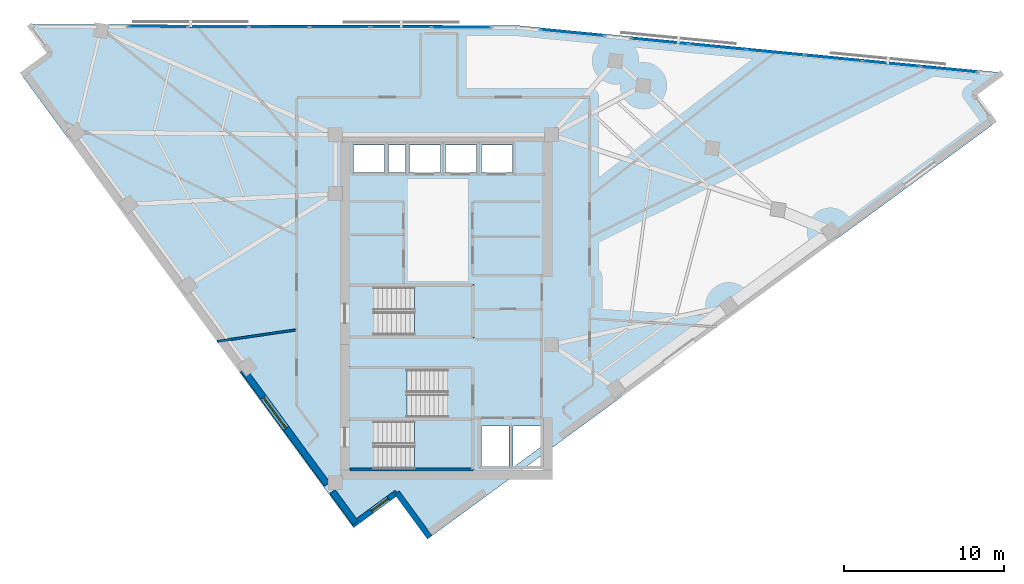
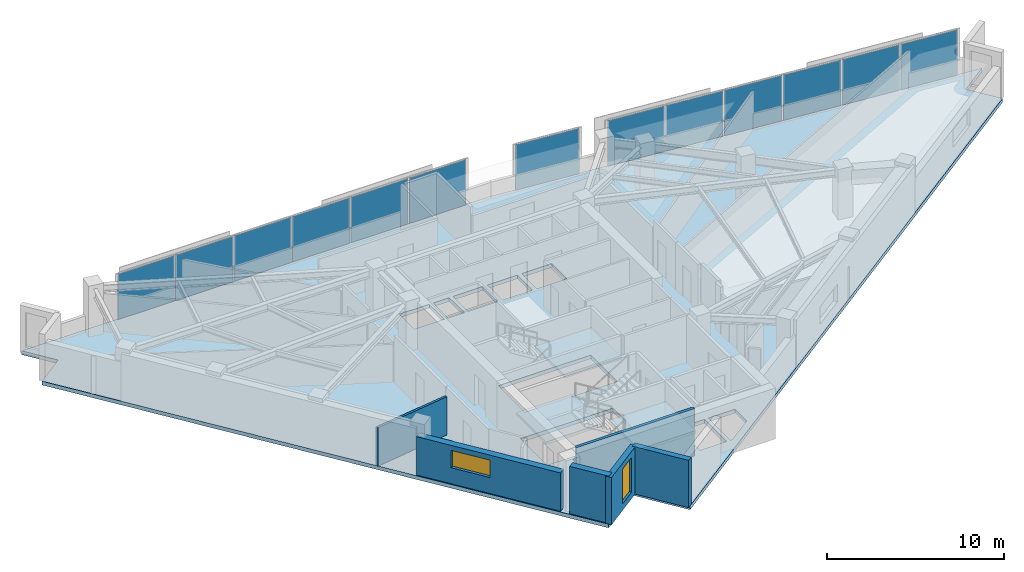
# One storey, part 7 of 13: 13 plates, 6 walls, 4 slabs, 2 windows, 2 openings, 6 elements without a shape of their own.
"""IFC4 building model written with IfcOpenShell, lengths in metres."""

from ifc_helpers import new_model, si_unit, direction, frame, frame_2d, origin, origin_2d, place, context, subcontext, project, spatial, polyline, rectangle, outline, extrude, material, layer, layer_set, type_object, element, fill, aggregate, save


model = new_model("IFC4")

# Units and contexts
model_context = context("Model", 3, precision=1e-05, world=origin(), true_north=direction((0.0, 1.0)))
body_context = subcontext(model_context, "Body", "Model", "MODEL_VIEW")
ifc_project = project(units=[si_unit("LENGTHUNIT", "METRE"), si_unit("AREAUNIT", "SQUARE_METRE"), si_unit("VOLUMEUNIT", "CUBIC_METRE"), si_unit("PLANEANGLEUNIT", "RADIAN"), si_unit("MASSUNIT", "GRAM", prefix="KILO")], contexts=[model_context])

# Site, building, storey
site_placement = place(None, origin())
site = spatial("IfcSite", under=ifc_project, at=site_placement, CompositionType="ELEMENT")
building_placement = place(site_placement, origin())
building = spatial("IfcBuilding", under=site, at=building_placement, Name="Narakoshi Arena Tower", CompositionType="ELEMENT")
storey_placement = place(building_placement, frame((0.0, 0.0, 243.139892578125)))
storey = spatial("IfcBuildingStorey", under=building, at=storey_placement, Name="L66", CompositionType="ELEMENT", Elevation=243.139892578125)

# Curtain wall, plates
ifc_material_1 = material(Name="Anodised bronze aluminium 6063-T6", Category="aluminium")
curtain_wall_type = type_object("IfcCurtainWallType", Name="CW-HYP-HIGH", PredefinedType="NOTDEFINED", material=ifc_material_1)
curtain_wall_1_placement = place(storey_placement, origin())
curtain_wall_1 = element("IfcCurtainWall", 1, at=curtain_wall_1_placement, inside=storey, type_object=curtain_wall_type, Name="L66 Folded Hypotenuse Curtain Wall 1-1", PredefinedType="NOTDEFINED")
ifc_material_2 = material(Name="Bronze-tinted low-E laminated glass", Category="glass")
ifc_layer_1 = layer(ifc_material_2, 0.0439453125)
ifc_layer_set_1 = layer_set([ifc_layer_1], Name="Bronze-tinted low-E laminated glass")
plate_type = type_object("IfcPlateType", Name="PLT-GLZ-44", PredefinedType="CURTAIN_PANEL", material=ifc_layer_set_1)
plate_1_placement = place(storey_placement, frame((110.45458984375, 60.593505859375, 0.065185546875), z_axis=(0.0, 0.0, 1.0), x_axis=(-0.995298860454, 0.096851320996, 0.0)))
plate_1 = element("IfcPlate", 2, at=plate_1_placement, type_object=plate_type, Name="CW-03 panel 1.1", PredefinedType="CURTAIN_PANEL", context=body_context, shape_type="SweptSolid", body=[
    extrude(rectangle(XDim=3.52880859375, YDim=0.0439453125, at=origin_2d()), origin(), (0.0, 0.0, 1.0), 3.1298828125),
])
plate_2_placement = place(storey_placement, frame((106.8427734375, 60.945068359375, 0.065185546875), z_axis=(0.0, 0.0, 1.0), x_axis=(-0.995298860454, 0.096851320996, 0.0)))
plate_2 = element("IfcPlate", 3, at=plate_2_placement, type_object=plate_type, Name="CW-03 panel 2.1", PredefinedType="CURTAIN_PANEL", context=body_context, shape_type="SweptSolid", body=[
    extrude(rectangle(XDim=3.568603515625, YDim=0.0439453125, at=origin_2d()), origin(), (0.0, 0.0, 1.0), 3.1298828125),
])
plate_3_placement = place(storey_placement, frame((103.211181640625, 61.29833984375, 0.065185546875), z_axis=(0.0, 0.0, 1.0), x_axis=(-0.995298860454, 0.096851320996, 0.0)))
plate_3 = element("IfcPlate", 4, at=plate_3_placement, type_object=plate_type, Name="CW-03 panel 3.1", PredefinedType="CURTAIN_PANEL", context=body_context, shape_type="SweptSolid", body=[
    extrude(rectangle(XDim=3.568603515625, YDim=0.0439453125, at=origin_2d()), origin(), (0.0, 0.0, 1.0), 3.1298828125),
])
plate_4_placement = place(storey_placement, frame((99.579833984375, 61.65185546875, 0.065185546875), z_axis=(0.0, 0.0, 1.0), x_axis=(-0.995298860454, 0.096851320996, 0.0)))
plate_4 = element("IfcPlate", 5, at=plate_4_placement, type_object=plate_type, Name="CW-03 panel 4.1", PredefinedType="CURTAIN_PANEL", context=body_context, shape_type="SweptSolid", body=[
    extrude(rectangle(XDim=3.568603515625, YDim=0.0439453125, at=origin_2d()), origin(), (0.0, 0.0, 1.0), 3.1298828125),
])
plate_5_placement = place(storey_placement, frame((95.9482421875, 62.005126953125, 0.065185546875), z_axis=(0.0, 0.0, 1.0), x_axis=(-0.995298860454, 0.096851320996, 0.0)))
plate_5 = element("IfcPlate", 6, at=plate_5_placement, type_object=plate_type, Name="CW-03 panel 5.1", PredefinedType="CURTAIN_PANEL", context=body_context, shape_type="SweptSolid", body=[
    extrude(rectangle(XDim=3.568603515625, YDim=0.0439453125, at=origin_2d()), origin(), (0.0, 0.0, 1.0), 3.1298828125),
])
plate_6_placement = place(storey_placement, frame((92.33642578125, 62.356689453125, 0.065185546875), z_axis=(0.0, 0.0, 1.0), x_axis=(-0.995298860454, 0.096851320996, 0.0)))
plate_6 = element("IfcPlate", 7, at=plate_6_placement, type_object=plate_type, Name="CW-03 panel 6.1", PredefinedType="CURTAIN_PANEL", context=body_context, shape_type="SweptSolid", body=[
    extrude(rectangle(XDim=3.52880859375, YDim=0.0439453125, at=origin_2d()), origin(), (0.0, 0.0, 1.0), 3.1298828125),
])
aggregate(curtain_wall_1, [plate_1, plate_2, plate_3, plate_4, plate_5, plate_6])

# Curtain wall, plate
curtain_wall_2_placement = place(storey_placement, origin())
curtain_wall_2 = element("IfcCurtainWall", 8, at=curtain_wall_2_placement, inside=storey, type_object=curtain_wall_type, Name="L66 Folded Hypotenuse Curtain Wall 1-2", PredefinedType="NOTDEFINED")
plate_7_placement = place(storey_placement, frame((86.862060546875, 62.889404296875, 0.065185546875), z_axis=(0.0, 0.0, 1.0), x_axis=(-0.995299683896, 0.096842858471, 0.0)))
plate_7 = element("IfcPlate", 9, at=plate_7_placement, type_object=plate_type, Name="CW-03 panel 1.1", PredefinedType="CURTAIN_PANEL", context=body_context, shape_type="SweptSolid", body=[
    extrude(rectangle(XDim=3.9560546875, YDim=0.0439453125, at=origin_2d()), origin(), (0.0, 0.0, 1.0), 3.1298828125),
])
aggregate(curtain_wall_2, [plate_7])

# Curtain wall, plates
curtain_wall_3_placement = place(storey_placement, origin())
curtain_wall_3 = element("IfcCurtainWall", 10, at=curtain_wall_3_placement, inside=storey, type_object=curtain_wall_type, Name="L66 Folded Hypotenuse Curtain Wall 2-1", PredefinedType="NOTDEFINED")
plate_8_placement = place(storey_placement, frame((79.907470703125, 63.239501953125, 0.065185546875), z_axis=(0.0, 0.0, 1.0), x_axis=(-0.999998343986, 0.001819896899, 0.0)))
plate_8 = element("IfcPlate", 11, at=plate_8_placement, type_object=plate_type, Name="CW-03 panel 1.1", PredefinedType="CURTAIN_PANEL", context=body_context, shape_type="SweptSolid", body=[
    extrude(rectangle(XDim=3.689697265625, YDim=0.0439453125, at=origin_2d()), origin(), (0.0, 0.0, 1.0), 3.1298828125),
])
plate_9_placement = place(storey_placement, frame((76.11767578125, 63.246337890625, 0.065185546875), z_axis=(0.0, 0.0, 1.0), x_axis=(-0.999998343986, 0.001819896899, 0.0)))
plate_9 = element("IfcPlate", 12, at=plate_9_placement, type_object=plate_type, Name="CW-03 panel 2.1", PredefinedType="CURTAIN_PANEL", context=body_context, shape_type="SweptSolid", body=[
    extrude(rectangle(XDim=3.729736328125, YDim=0.0439453125, at=origin_2d()), origin(), (0.0, 0.0, 1.0), 3.1298828125),
])
plate_10_placement = place(storey_placement, frame((72.307861328125, 63.25341796875, 0.065185546875), z_axis=(0.0, 0.0, 1.0), x_axis=(-0.999998343986, 0.001819896899, 0.0)))
plate_10 = element("IfcPlate", 13, at=plate_10_placement, type_object=plate_type, Name="CW-03 panel 3.1", PredefinedType="CURTAIN_PANEL", context=body_context, shape_type="SweptSolid", body=[
    extrude(rectangle(XDim=3.729736328125, YDim=0.0439453125, at=origin_2d()), origin(), (0.0, 0.0, 1.0), 3.1298828125),
])
plate_11_placement = place(storey_placement, frame((68.498291015625, 63.26025390625, 0.065185546875), z_axis=(0.0, 0.0, 1.0), x_axis=(-0.999998343986, 0.001819896899, 0.0)))
plate_11 = element("IfcPlate", 14, at=plate_11_placement, type_object=plate_type, Name="CW-03 panel 4.1", PredefinedType="CURTAIN_PANEL", context=body_context, shape_type="SweptSolid", body=[
    extrude(rectangle(XDim=3.729736328125, YDim=0.0439453125, at=origin_2d()), origin(), (0.0, 0.0, 1.0), 3.1298828125),
])
plate_12_placement = place(storey_placement, frame((64.6884765625, 63.26708984375, 0.065185546875), z_axis=(0.0, 0.0, 1.0), x_axis=(-0.999998343986, 0.001819896899, 0.0)))
plate_12 = element("IfcPlate", 15, at=plate_12_placement, type_object=plate_type, Name="CW-03 panel 5.1", PredefinedType="CURTAIN_PANEL", context=body_context, shape_type="SweptSolid", body=[
    extrude(rectangle(XDim=3.729736328125, YDim=0.0439453125, at=origin_2d()), origin(), (0.0, 0.0, 1.0), 3.1298828125),
])
plate_13_placement = place(storey_placement, frame((60.898681640625, 63.274169921875, 0.065185546875), z_axis=(0.0, 0.0, 1.0), x_axis=(-0.999998343986, 0.001819896899, 0.0)))
plate_13 = element("IfcPlate", 16, at=plate_13_placement, type_object=plate_type, Name="CW-03 panel 6.1", PredefinedType="CURTAIN_PANEL", context=body_context, shape_type="SweptSolid", body=[
    extrude(rectangle(XDim=3.689697265625, YDim=0.0439453125, at=origin_2d()), origin(), (0.0, 0.0, 1.0), 3.1298828125),
])
aggregate(curtain_wall_3, [plate_8, plate_9, plate_10, plate_11, plate_12, plate_13])

# Stair, slab
ifc_material_3 = material(Name="Concrete C45/55", Category="concrete")
stair_type = type_object("IfcStairType", Name="STR-CORE-352", PredefinedType="TWO_STRAIGHT_RUN_STAIR", material=ifc_material_3)
stair_1_placement = place(storey_placement, origin())
stair_1 = element("IfcStair", 17, at=stair_1_placement, inside=storey, type_object=stair_type, Name="L66 Core Escape Stair ST1", PredefinedType="TWO_STRAIGHT_RUN_STAIR")
ifc_layer_2 = layer(ifc_material_3, 0.18994140625)
ifc_layer_set_2 = layer_set([ifc_layer_2], Name="Concrete C45/55")
slab_type_1 = type_object("IfcSlabType", Name="SLB-LND-190", PredefinedType="LANDING", material=ifc_layer_set_2)
slab_1_placement = place(storey_placement, frame((0.0, 0.0, 1.570068359375)))
slab_1 = element("IfcSlab", 18, at=slab_1_placement, type_object=slab_type_1, Name="ST1 landing 1", PredefinedType="LANDING", context=body_context, shape_type="SweptSolid", body=[
    extrude(outline(polyline([(76.965087890625, 35.3701171875), (80.679931640625, 35.3701171875), (80.679931640625, 38.72998046875), (76.965087890625, 38.72998046875), (76.965087890625, 35.3701171875)])), origin(), (0.0, 0.0, 1.0), 0.18994140625),
])
aggregate(stair_1, [slab_1])

stair_2_placement = place(storey_placement, origin())
stair_2 = element("IfcStair", 19, at=stair_2_placement, inside=storey, type_object=stair_type, Name="L66 Core Escape Stair ST2", PredefinedType="TWO_STRAIGHT_RUN_STAIR")
slab_2_placement = place(storey_placement, frame((0.0, 0.0, 1.570068359375)))
slab_2 = element("IfcSlab", 20, at=slab_2_placement, type_object=slab_type_1, Name="ST2 landing 1", PredefinedType="LANDING", context=body_context, shape_type="SweptSolid", body=[
    extrude(outline(polyline([(72.77001953125, 38.6201171875), (76.485107421875, 38.6201171875), (76.485107421875, 41.97998046875), (72.77001953125, 41.97998046875), (72.77001953125, 38.6201171875)])), origin(), (0.0, 0.0, 1.0), 0.18994140625),
])
aggregate(stair_2, [slab_2])

stair_3_placement = place(storey_placement, origin())
stair_3 = element("IfcStair", 21, at=stair_3_placement, inside=storey, type_object=stair_type, Name="L66 Core Escape Stair ST3", PredefinedType="TWO_STRAIGHT_RUN_STAIR")
slab_3_placement = place(storey_placement, frame((0.0, 0.0, 1.570068359375)))
slab_3 = element("IfcSlab", 22, at=slab_3_placement, type_object=slab_type_1, Name="ST3 landing 1", PredefinedType="LANDING", context=body_context, shape_type="SweptSolid", body=[
    extrude(outline(polyline([(76.965087890625, 43.77001953125), (80.679931640625, 43.77001953125), (80.679931640625, 47.1298828125), (76.965087890625, 47.1298828125), (76.965087890625, 43.77001953125)])), origin(), (0.0, 0.0, 1.0), 0.18994140625),
])
aggregate(stair_3, [slab_3])

# Slab
ifc_material_4 = material(Name="Concrete C50/60", Category="concrete")
ifc_layer_3 = layer(ifc_material_4, 0.260009765625)
ifc_layer_set_3 = layer_set([ifc_layer_3], Name="Concrete C50/60")
slab_type_2 = type_object("IfcSlabType", Name="SLB-SKY-260", PredefinedType="FLOOR", material=ifc_layer_set_3)
slab_4_placement = place(storey_placement, frame((0.0, 0.0, -0.260009765625)))
element("IfcSlab", 23, at=slab_4_placement, inside=storey, type_object=slab_type_2, Name="L66 Structural Floor Slab", PredefinedType="FLOOR", context=body_context, shape_type="SweptSolid", body=[
    extrude(outline(polyline([(77.922607421875, 31.273193359375), (113.306640625, 57.218017578125), (111.96533203125, 59.047607421875), (113.794921875, 60.38916015625), (83.33251953125, 63.353271484375), (52.84521484375, 63.40869140625), (54.1865234375, 61.5791015625), (52.357177734375, 60.23779296875), (73.044189453125, 32.024169921875), (75.858642578125, 34.087890625), (77.922607421875, 31.273193359375)]), holes=[polyline([(80.5, 35.550048828125), (74.47998046875, 35.550048828125), (74.47998046875, 38.550048828125), (80.5, 38.550048828125), (80.5, 35.550048828125)]), polyline([(82.89990234375, 35.75), (81.14990234375, 35.75), (81.14990234375, 38.25), (82.89990234375, 38.25), (82.89990234375, 35.75)]), polyline([(84.89990234375, 36.947509765625), (83.266845703125, 35.75), (83.14990234375, 35.75), (83.14990234375, 38.25), (84.89990234375, 38.25), (84.89990234375, 36.947509765625)]), polyline([(72.949951171875, 38.800048828125), (72.949951171875, 41.800048828125), (78.969970703125, 41.800048828125), (78.969970703125, 38.800048828125), (72.949951171875, 38.800048828125)]), polyline([(74.47998046875, 43.949951171875), (74.47998046875, 46.949951171875), (80.5, 46.949951171875), (80.5, 43.949951171875), (74.47998046875, 43.949951171875)]), polyline([(75.10009765625, 54.14990234375), (73.14990234375, 54.14990234375), (73.14990234375, 55.85009765625), (75.10009765625, 55.85009765625), (75.10009765625, 54.14990234375)]), polyline([(76.39990234375, 54.14990234375), (75.35009765625, 54.14990234375), (75.35009765625, 55.85009765625), (76.39990234375, 55.85009765625), (76.39990234375, 54.14990234375)]), polyline([(78.60009765625, 54.14990234375), (76.64990234375, 54.14990234375), (76.64990234375, 55.85009765625), (78.60009765625, 55.85009765625), (78.60009765625, 54.14990234375)]), polyline([(78.89990234375, 54.14990234375), (78.89990234375, 55.85009765625), (80.85009765625, 55.85009765625), (80.85009765625, 54.14990234375), (78.89990234375, 54.14990234375)]), polyline([(81.14990234375, 54.14990234375), (81.14990234375, 55.85009765625), (83.10009765625, 55.85009765625), (83.10009765625, 54.14990234375), (81.14990234375, 54.14990234375)])]), origin(), (0.0, 0.0, 1.0), 0.260009765625),
])

# Wall, opening, window
ifc_material_5 = material(Name="Precast concrete C45/55", Category="concrete")
ifc_layer_4 = layer(ifc_material_5, 0.419921875)
ifc_layer_set_4 = layer_set([ifc_layer_4], Name="Precast concrete C45/55")
wall_type_1 = type_object("IfcWallType", Name="WL-POD-420", PredefinedType="SOLIDWALL", material=ifc_layer_set_4)
wall_1_placement = place(storey_placement, frame((66.232421875, 41.779296875, 0.0), z_axis=(0.0, 0.0, 1.0), x_axis=(0.591309008949, -0.806445073105, 0.0)))
wall_1 = element("IfcWall", 24, at=wall_1_placement, inside=storey, type_object=wall_type_1, Name="L66 Architectural Concrete Facade Wall LEGB-3", PredefinedType="SOLIDWALL", context=body_context, shape_type="SweptSolid", body=[
    extrude(rectangle(XDim=8.908447265625, YDim=0.419921875, at=frame_2d((4.4541015625, 0.0))), origin(), (0.0, 0.0, 1.0), 2.64501953125),
])
opening_1_placement = place(wall_1_placement, frame((2.14892578125, 0.0, 1.10009765625)))
opening_1 = element("IfcOpeningElement", 25, at=opening_1_placement, cuts=wall_1, Name="Opening WN-04", PredefinedType="OPENING", context=body_context, shape_type="SweptSolid", body=[
    extrude(rectangle(XDim=2.39990234375, YDim=1.199951171875, at=frame_2d((1.199951171875, 0.60009765625))), frame((0.0, 0.219970703125, 0.0), z_axis=(0.0, -1.0, 0.0), x_axis=(1.0, 0.0, 0.0)), (0.0, 0.0, 1.0), 0.43994140625),
])
window_type_1 = type_object("IfcWindowType", Name="WIN-SLT-24x12", PartitioningType="SINGLE_PANEL", PredefinedType="WINDOW", material=ifc_material_2)
window_1_placement = place(opening_1_placement, origin())
window_1 = element("IfcWindow", 26, at=window_1_placement, inside=storey, type_object=window_type_1, Name="L66 LEGB3 Horizontal Slot Window 1", OverallHeight=1.199951171875, OverallWidth=2.39990234375, PartitioningType="SINGLE_PANEL", PredefinedType="WINDOW", context=body_context, shape_type="SweptSolid", body=[
    extrude(rectangle(XDim=2.39990234375, YDim=1.199951171875, at=frame_2d((1.199951171875, 0.60009765625))), frame((0.0, 0.030029296875, 0.0), z_axis=(0.0, -1.0, 0.0), x_axis=(1.0, 0.0, 0.0)), (0.0, 0.0, 1.0), 0.06005859375),
])
fill(opening_1, window_1)

# Wall
wall_2_placement = place(storey_placement, frame((71.826416015625, 34.14990234375, 0.0), z_axis=(0.0, 0.0, 1.0), x_axis=(0.591315835946, -0.806440067308, 0.0)))
element("IfcWall", 27, at=wall_2_placement, inside=storey, type_object=wall_type_1, Name="L66 Architectural Concrete Facade Wall LEGB-4", PredefinedType="SOLIDWALL", context=body_context, shape_type="SweptSolid", body=[
    extrude(rectangle(XDim=2.434326171875, YDim=0.419921875, at=frame_2d((1.21728515625, 0.0))), origin(), (0.0, 0.0, 1.0), 3.260009765625),
])

# Wall, opening, window
wall_3_placement = place(storey_placement, frame((73.044189453125, 32.024169921875, 0.0), z_axis=(0.0, 0.0, 1.0), x_axis=(0.806433906667, 0.591324237774, 0.0)))
wall_3 = element("IfcWall", 28, at=wall_3_placement, inside=storey, type_object=wall_type_1, Name="L66 Re-Entrant Corner Notch Wall NTA-1", PredefinedType="SOLIDWALL", context=body_context, shape_type="SweptSolid", body=[
    extrude(rectangle(XDim=3.489990234375, YDim=0.360107421875, at=frame_2d((1.7451171875, 0.0))), origin(), (0.0, 0.0, 1.0), 3.260009765625),
])
opening_2_placement = place(wall_3_placement, frame((1.535400390625, 0.0, 0.449951171875)))
opening_2 = element("IfcOpeningElement", 29, at=opening_2_placement, cuts=wall_3, Name="Opening WN-06", PredefinedType="OPENING", context=body_context, shape_type="SweptSolid", body=[
    extrude(rectangle(XDim=1.300048828125, YDim=2.39990234375, at=frame_2d((0.64990234375, 1.199951171875))), frame((0.0, 0.18994140625, 0.0), z_axis=(0.0, -1.0, 0.0), x_axis=(1.0, 0.0, 0.0)), (0.0, 0.0, 1.0), 0.380126953125),
])
window_type_2 = type_object("IfcWindowType", Name="WIN-NTC-16x24", PartitioningType="SINGLE_PANEL", PredefinedType="WINDOW", material=ifc_material_2)
window_2_placement = place(opening_2_placement, origin())
window_2 = element("IfcWindow", 30, at=window_2_placement, inside=storey, type_object=window_type_2, Name="L66 Corner Notch Window NTA", OverallHeight=2.39990234375, OverallWidth=1.300048828125, PartitioningType="SINGLE_PANEL", PredefinedType="WINDOW", context=body_context, shape_type="SweptSolid", body=[
    extrude(rectangle(XDim=1.300048828125, YDim=2.39990234375, at=frame_2d((0.64990234375, 1.199951171875))), frame((0.0, 0.030029296875, 0.0), z_axis=(0.0, -1.0, 0.0), x_axis=(1.0, 0.0, 0.0)), (0.0, 0.0, 1.0), 0.06005859375),
])
fill(opening_2, window_2)

# Walls
wall_4_placement = place(storey_placement, frame((75.858642578125, 34.087890625, 0.0), z_axis=(0.0, 0.0, 1.0), x_axis=(0.591336371625, -0.806425009281, 0.0)))
element("IfcWall", 31, at=wall_4_placement, inside=storey, type_object=wall_type_1, Name="L66 Re-Entrant Corner Notch Wall NTA-2", PredefinedType="SOLIDWALL", context=body_context, shape_type="SweptSolid", body=[
    extrude(rectangle(XDim=3.490234375, YDim=0.360107421875, at=frame_2d((1.7451171875, 0.0))), origin(), (0.0, 0.0, 1.0), 3.260009765625),
])
ifc_layer_5 = layer(ifc_material_4, 0.35009765625)
ifc_layer_set_5 = layer_set([ifc_layer_5], Name="Concrete C50/60")
wall_type_2 = type_object("IfcWallType", Name="WL-SHAFT-350", PredefinedType="SOLIDWALL", material=ifc_layer_set_5)
wall_5_placement = place(storey_placement, frame((72.919921875, 35.52001953125, -0.260009765625), z_axis=(0.0, 0.0, 1.0), x_axis=(1.0, 0.0, 0.0)))
element("IfcWall", 32, at=wall_5_placement, inside=storey, type_object=wall_type_2, Name="L66 Core Wall ST1-S", PredefinedType="SOLIDWALL", context=body_context, shape_type="SweptSolid", body=[
    extrude(rectangle(XDim=7.7001953125, YDim=0.199951171875, at=frame_2d((3.85009765625, 0.0))), origin(), (0.0, 0.0, 1.0), 3.52001953125),
])
ifc_material_6 = material(Name="Moisture-resistant cement-board partition")
ifc_layer_6 = layer(ifc_material_6, 0.14501953125)
ifc_layer_set_6 = layer_set([ifc_layer_6], Name="Moisture-resistant cement-board partition")
wall_type_3 = type_object("IfcWallType", Name="WL-WET-145", PredefinedType="PARTITIONING", material=ifc_layer_set_6)
wall_6_placement = place(storey_placement, frame((64.590087890625, 43.553955078125, 0.0), z_axis=(0.0, 0.0, 1.0), x_axis=(0.989573845163, 0.144026403725, 0.0)))
element("IfcWall", 33, at=wall_6_placement, inside=storey, type_object=wall_type_3, Name="L66 Inter-Room Partition 01-09", PredefinedType="PARTITIONING", context=body_context, shape_type="SweptSolid", body=[
    extrude(rectangle(XDim=4.9716796875, YDim=0.14501953125, at=frame_2d((2.48583984375, 0.0))), origin(), (0.0, 0.0, 1.0), 2.64501953125),
])

save(model, "model.ifc")
